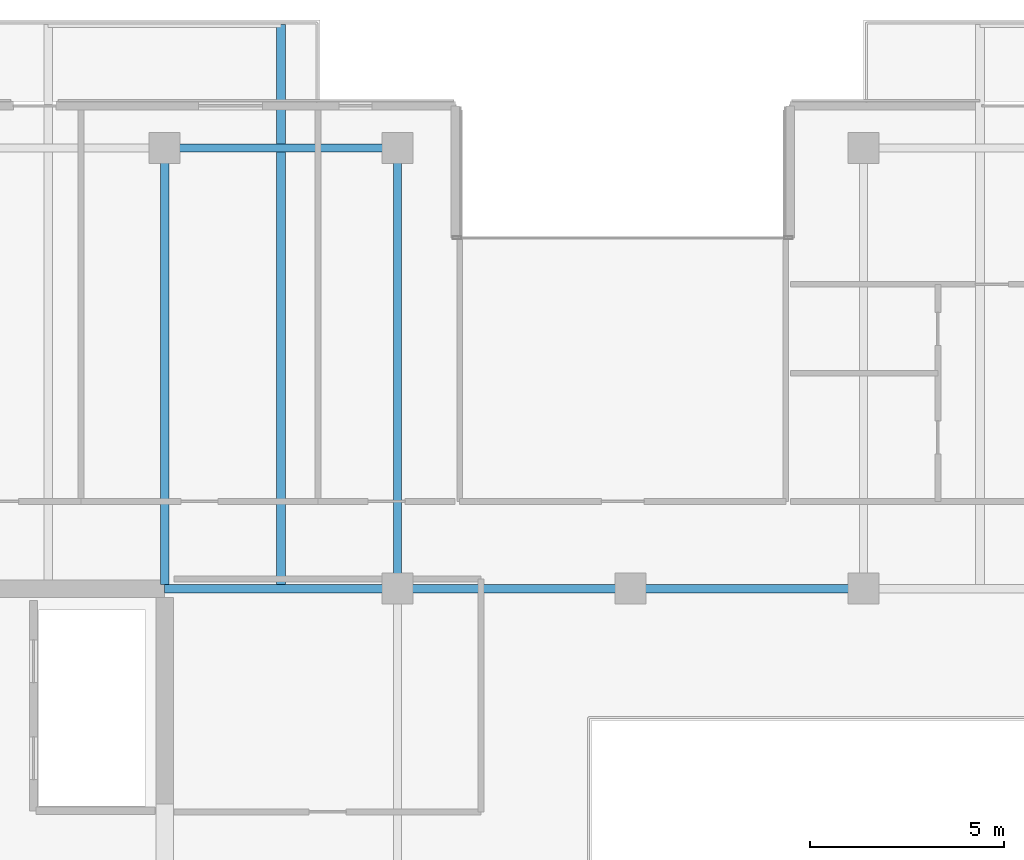
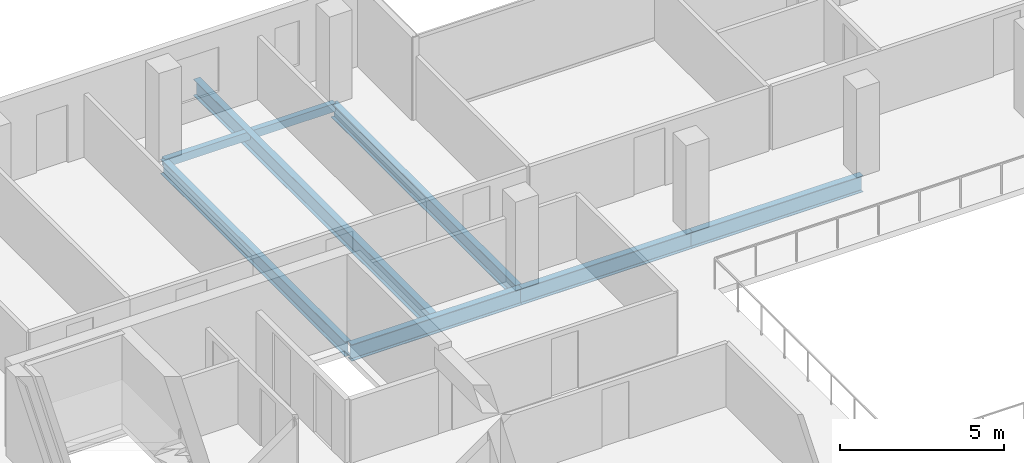
# One storey, part 9 of 28: 7 beams.
"""IFC4 building model written with IfcOpenShell, lengths in metres."""

from ifc_helpers import new_model, si_unit, direction, frame, origin, origin_2d, place, context, subcontext, project, spatial, hollow_rectangle, i_section, extrude, material, material_profile, profile_set, type_object, element, save


model = new_model("IFC4")

# Units and contexts
model_context = context("Model", 3, precision=1e-05, world=origin(), true_north=direction((0.0, 1.0)))
body_context = subcontext(model_context, "Body", "Model", "MODEL_VIEW")
ifc_project = project(units=[si_unit("LENGTHUNIT", "METRE"), si_unit("AREAUNIT", "SQUARE_METRE"), si_unit("VOLUMEUNIT", "CUBIC_METRE"), si_unit("PLANEANGLEUNIT", "RADIAN"), si_unit("MASSUNIT", "GRAM", prefix="KILO")], contexts=[model_context])

# Site, building, storey
site_placement = place(None, origin())
site = spatial("IfcSite", under=ifc_project, at=site_placement, CompositionType="ELEMENT")
building_placement = place(site_placement, origin())
building = spatial("IfcBuilding", under=site, at=building_placement, Name="Tanjung Sevakor Pilgrim Tower", CompositionType="ELEMENT")
storey_placement = place(building_placement, frame((0.0, 0.0, 185.1298828125)))
storey = spatial("IfcBuildingStorey", under=building, at=storey_placement, Name="L51", CompositionType="ELEMENT", Elevation=185.1298828125)

# Beams
ifc_material_1 = material(Name="Steel S355J2", Category="steel")
ifc_material_profile_1 = material_profile(ifc_material_1, i_section(OverallWidth=0.22900390625, OverallDepth=0.6123046875, WebThickness=0.011962890625, FlangeThickness=0.01953125, FilletRadius=0.0126953125, at=origin_2d()))
ifc_profile_set_1 = profile_set([ifc_material_profile_1], Name="Steel S355J2")
beam_type_1 = type_object("IfcBeamType", Name="BM-B-G4-UB_610x229x125", PredefinedType="BEAM", material=ifc_profile_set_1)
for number, where, z_axis, x_axis, name in (
    (1, (36.0, 42.60009765625, -0.52587890625), (1.0, 0.0, 0.0), (0.0, 1.0, 0.0), "L51 Primary Floor Girder MAIN Y426-02"),
    (2, (42.0, 42.60009765625, -0.52587890625), (1.0, 0.0, 0.0), (0.0, 1.0, 0.0), "L51 Primary Floor Girder MAIN Y426-03"),
    (3, (48.0, 42.60009765625, -0.52587890625), (1.0, 0.0, 0.0), (0.0, 1.0, 0.0), "L51 Primary Floor Girder MAIN Y426-04"),
):
    element("IfcBeam", number, at=place(storey_placement, frame(where, z_axis=z_axis, x_axis=x_axis)), inside=storey, type_object=beam_type_1, Name=name, PredefinedType="BEAM", context=body_context, shape_type="SweptSolid", body=[
        extrude(i_section(OverallWidth=0.22900390625, OverallDepth=0.6123046875, WebThickness=0.011962890625, FlangeThickness=0.01953125, FilletRadius=0.0126953125, at=origin_2d()), origin(), (0.0, 0.0, 1.0), 6.0),
    ])
beam_1_placement = place(storey_placement, frame((39.0, 42.714599609375, -0.52587890625), z_axis=(0.0, 1.0, 0.0), x_axis=(-1.0, 0.0, 0.0)))
element("IfcBeam", 4, at=beam_1_placement, inside=storey, type_object=beam_type_1, Name="L51 Balcony Cantilever Beam MAIN-N1-2", PredefinedType="BEAM", context=body_context, shape_type="SweptSolid", body=[
    extrude(i_section(OverallWidth=0.22900390625, OverallDepth=0.6123046875, WebThickness=0.011962890625, FlangeThickness=0.01953125, FilletRadius=0.0126953125, at=origin_2d()), origin(), (0.0, 0.0, 1.0), 14.415283203125),
])
ifc_material_2 = material(Name="Steel S355J2", Category="steel")
ifc_material_profile_2 = material_profile(ifc_material_2, i_section(OverallWidth=0.2119140625, OverallDepth=0.54443359375, WebThickness=0.0126953125, FlangeThickness=0.021240234375, FilletRadius=0.0126953125, at=origin_2d()))
ifc_profile_set_2 = profile_set([ifc_material_profile_2], Name="Steel S355J2")
beam_type_2 = type_object("IfcBeamType", Name="BM-B-G5-UB_533x210x122", PredefinedType="BEAM", material=ifc_profile_set_2)
beam_2_placement = place(storey_placement, frame((36.0, 42.714599609375, -0.4921875), z_axis=(0.0, 1.0, 0.0), x_axis=(-1.0, 0.0, 0.0)))
element("IfcBeam", 5, at=beam_2_placement, inside=storey, type_object=beam_type_2, Name="L51 MAIN Girder 004", PredefinedType="BEAM", context=body_context, shape_type="SweptSolid", body=[
    extrude(i_section(OverallWidth=0.2119140625, OverallDepth=0.54443359375, WebThickness=0.0126953125, FlangeThickness=0.021240234375, FilletRadius=0.0126953125, at=origin_2d()), origin(), (0.0, 0.0, 1.0), 11.2353515625),
])
beam_3_placement = place(storey_placement, frame((42.0, 42.60009765625, -0.4921875), z_axis=(0.0, 1.0, 0.0), x_axis=(-1.0, 0.0, 0.0)))
element("IfcBeam", 6, at=beam_3_placement, inside=storey, type_object=beam_type_2, Name="L51 MAIN Girder 007", PredefinedType="BEAM", context=body_context, shape_type="SweptSolid", body=[
    extrude(i_section(OverallWidth=0.2119140625, OverallDepth=0.54443359375, WebThickness=0.0126953125, FlangeThickness=0.021240234375, FilletRadius=0.0126953125, at=origin_2d()), origin(), (0.0, 0.0, 1.0), 11.349853515625),
])
ifc_material_3 = material(Name="Steel S355J2", Category="steel")
ifc_material_profile_3 = material_profile(ifc_material_3, hollow_rectangle(XDim=0.199951171875, YDim=0.300048828125, WallThickness=0.012451171875, at=origin_2d()))
ifc_profile_set_3 = profile_set([ifc_material_profile_3], Name="Steel S355J2")
beam_type_3 = type_object("IfcBeamType", Name="BM-B-SP3-RHS_300x200x12.5", PredefinedType="SPANDREL", material=ifc_profile_set_3)
beam_4_placement = place(storey_placement, frame((36.0, 53.949951171875, -0.369873046875), z_axis=(1.0, 0.0, 0.0), x_axis=(0.0, 1.0, 0.0)))
element("IfcBeam", 7, at=beam_4_placement, inside=storey, type_object=beam_type_3, Name="L51 Spandrel MAIN N-04", PredefinedType="SPANDREL", context=body_context, shape_type="SweptSolid", body=[
    extrude(hollow_rectangle(XDim=0.199951171875, YDim=0.300048828125, WallThickness=0.012451171875, at=origin_2d()), origin(), (0.0, 0.0, 1.0), 6.0),
])

save(model, "model.ifc")
